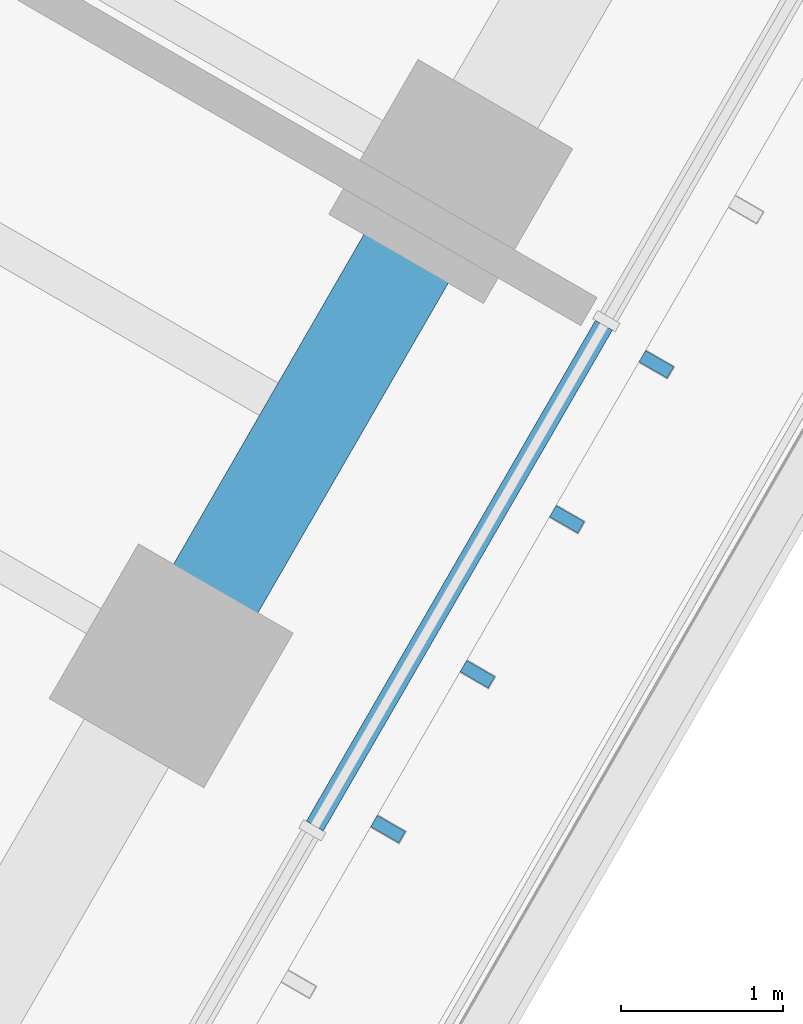
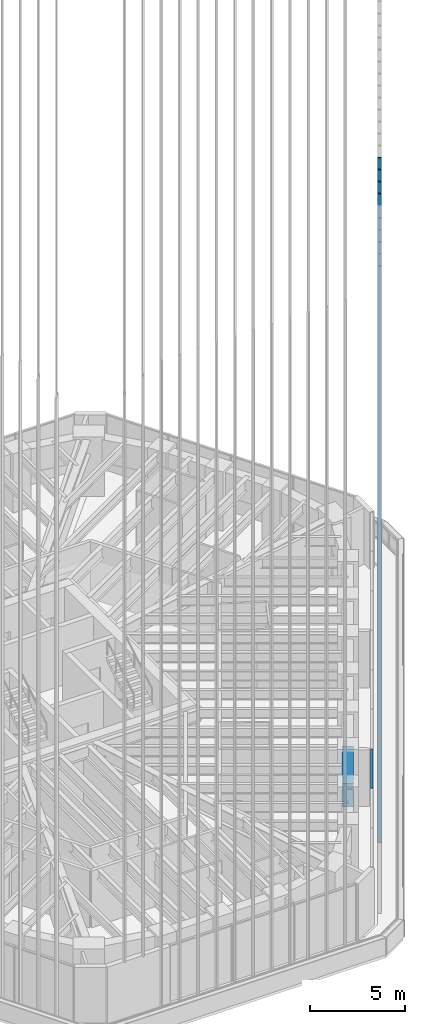
# One storey, part 38 of 127: 5 members, 1 beam, 1 element without a shape of its own.
"""IFC4 building model written with IfcOpenShell, lengths in metres."""

from ifc_helpers import new_model, si_unit, direction, frame, origin, origin_2d, place, context, subcontext, project, spatial, rectangle, extrude, material, material_profile, profile_set, type_object, element, aggregate, save


model = new_model("IFC4")

# Units and contexts
model_context = context("Model", 3, precision=1e-05, world=origin(), true_north=direction((0.0, 1.0)))
body_context = subcontext(model_context, "Body", "Model", "MODEL_VIEW")
ifc_project = project(units=[si_unit("LENGTHUNIT", "METRE"), si_unit("AREAUNIT", "SQUARE_METRE"), si_unit("VOLUMEUNIT", "CUBIC_METRE"), si_unit("PLANEANGLEUNIT", "RADIAN"), si_unit("MASSUNIT", "GRAM", prefix="KILO")], contexts=[model_context])

# Site, building, storey
site_placement = place(None, origin())
site = spatial("IfcSite", under=ifc_project, at=site_placement, CompositionType="ELEMENT")
building_placement = place(site_placement, origin())
building = spatial("IfcBuilding", under=site, at=building_placement, Name="Sandreach Pilgrim Tower", CompositionType="ELEMENT")
storey_placement = place(building_placement, frame((0.0, 0.0, 257.0)))
storey = spatial("IfcBuildingStorey", under=building, at=storey_placement, Name="L64", CompositionType="ELEMENT", Elevation=257.0)

# Curtain wall, member
ifc_material_1 = material(Name="Aluminium framed curtain wall", Category="aluminium")
curtain_wall_type = type_object("IfcCurtainWallType", Name="Suite tower curtain wall", PredefinedType="NOTDEFINED", material=ifc_material_1)
curtain_wall_placement = place(storey_placement, origin())
curtain_wall = element("IfcCurtainWall", 1, at=curtain_wall_placement, inside=storey, type_object=curtain_wall_type, Name="CW-4 L64 SE", PredefinedType="NOTDEFINED")
ifc_material_2 = material(Name="Aluminium extrusion", Category="aluminium")
ifc_material_profile_1 = material_profile(ifc_material_2, rectangle(XDim=0.1201171875, YDim=0.070068359375, at=origin_2d()), Name="CW-4T 120X70")
ifc_profile_set_1 = profile_set([ifc_material_profile_1], Name="Aluminium extrusion")
member_type_1 = type_object("IfcMemberType", Name="CW-4 transom", PredefinedType="USERDEFINED", material=ifc_profile_set_1)
member_1_placement = place(storey_placement, frame((14.438720703125, -14.64404296875, 3.60498046875), z_axis=(-0.499957811549, -0.866049759928, 0.0), x_axis=(0.866049759928, -0.499957811549, 0.0)))
member_1 = element("IfcMember", 2, at=member_1_placement, type_object=member_type_1, Name="CW-4 head transom 7", ObjectType="TRANSOM", PredefinedType="USERDEFINED", context=body_context, shape_type="SweptSolid", body=[
    extrude(rectangle(XDim=0.1201171875, YDim=0.070068359375, at=origin_2d()), origin(), (0.0, 0.0, 1.0), 3.561767578125),
])

# Beam
ifc_material_3 = material(Name="Concrete 10000 psi", Category="concrete")
ifc_material_profile_2 = material_profile(ifc_material_3, rectangle(XDim=0.60009765625, YDim=1.5, at=origin_2d()), Name="RC600X1500")
ifc_profile_set_2 = profile_set([ifc_material_profile_2], Name="Concrete 10000 psi")
beam_type = type_object("IfcBeamType", Name="Spandrel beam RC600X1500", PredefinedType="SPANDREL", material=ifc_profile_set_2)
beam_placement = place(storey_placement, frame((13.4951171875, -13.758544921875, 2.889892578125), z_axis=(-0.499988291006, -0.866032163869, 0.0), x_axis=(0.866032163869, -0.499988291006, 0.0)))
element("IfcBeam", 3, at=beam_placement, inside=storey, type_object=beam_type, Name="BM L64 SP19", PredefinedType="SPANDREL", context=body_context, shape_type="SweptSolid", body=[
    extrude(rectangle(XDim=0.60009765625, YDim=1.5, at=origin_2d()), origin(), (0.0, 0.0, 1.0), 3.44482421875),
])

# Member
ifc_material_4 = material(Name="Extruded terracotta on aluminium core", Category="masonry")
ifc_material_profile_3 = material_profile(ifc_material_4, rectangle(XDim=0.080078125, YDim=0.199951171875, at=origin_2d()), Name="TBE 80X200")
ifc_profile_set_3 = profile_set([ifc_material_profile_3], Name="Extruded terracotta on aluminium core")
member_type_2 = type_object("IfcMemberType", Name="Terracotta baguette east", PredefinedType="USERDEFINED", material=ifc_profile_set_3)
member_2_placement = place(storey_placement, frame((14.76171875, -14.884765625, 0.0), z_axis=(0.0, 0.0, 1.0), x_axis=(-0.5, -0.866025403784, 0.0)))
member_2 = element("IfcMember", 4, at=member_2_placement, type_object=member_type_2, Name="Baguette Z4 SE20", ObjectType="BAGUETTE", PredefinedType="USERDEFINED", context=body_context, shape_type="SweptSolid", body=[
    extrude(rectangle(XDim=0.080078125, YDim=0.199951171875, at=origin_2d()), origin(), (0.0, 0.0, 1.0), 41.639892578125),
])

member_3_placement = place(storey_placement, frame((14.210693359375, -15.839111328125, 0.0), z_axis=(0.0, 0.0, 1.0), x_axis=(-0.5, -0.866025403784, 0.0)))
member_3 = element("IfcMember", 5, at=member_3_placement, type_object=member_type_2, Name="Baguette Z4 SE21", ObjectType="BAGUETTE", PredefinedType="USERDEFINED", context=body_context, shape_type="SweptSolid", body=[
    extrude(rectangle(XDim=0.080078125, YDim=0.199951171875, at=origin_2d()), origin(), (0.0, 0.0, 1.0), 41.639892578125),
])

member_4_placement = place(storey_placement, frame((13.65966796875, -16.79345703125, 0.0), z_axis=(0.0, 0.0, 1.0), x_axis=(-0.5, -0.866025403784, 0.0)))
member_4 = element("IfcMember", 6, at=member_4_placement, type_object=member_type_2, Name="Baguette Z4 SE22", ObjectType="BAGUETTE", PredefinedType="USERDEFINED", context=body_context, shape_type="SweptSolid", body=[
    extrude(rectangle(XDim=0.080078125, YDim=0.199951171875, at=origin_2d()), origin(), (0.0, 0.0, 1.0), 41.639892578125),
])

member_5_placement = place(storey_placement, frame((13.10888671875, -17.747802734375, 0.0), z_axis=(0.0, 0.0, 1.0), x_axis=(-0.5, -0.866025403784, 0.0)))
member_5 = element("IfcMember", 7, at=member_5_placement, type_object=member_type_2, Name="Baguette Z4 SE23", ObjectType="BAGUETTE", PredefinedType="USERDEFINED", context=body_context, shape_type="SweptSolid", body=[
    extrude(rectangle(XDim=0.080078125, YDim=0.199951171875, at=origin_2d()), origin(), (0.0, 0.0, 1.0), 41.639892578125),
])

aggregate(curtain_wall, [member_1, member_2, member_3, member_4, member_5])

save(model, "model.ifc")
